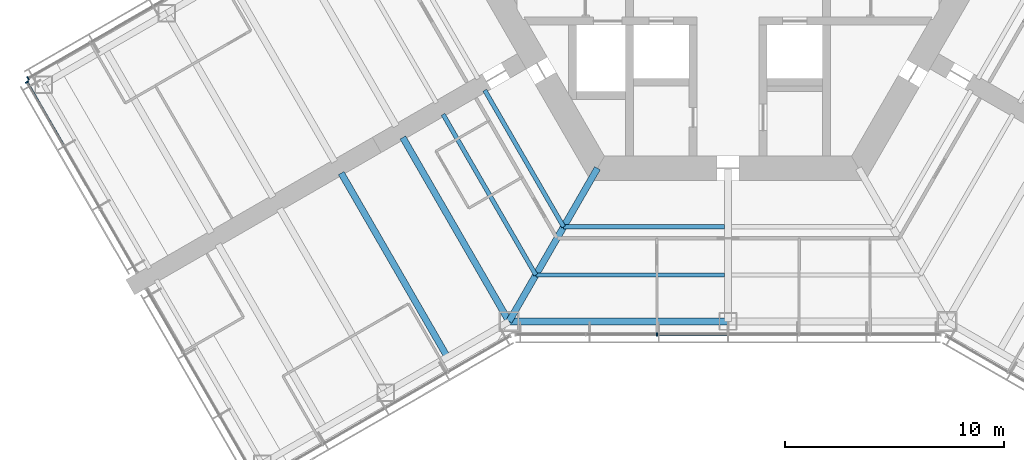
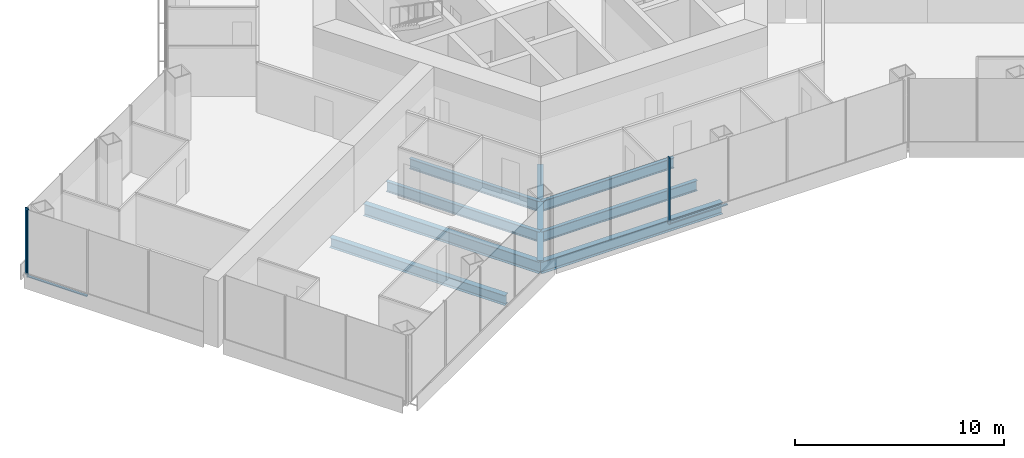
# One storey, part 3 of 18: 8 beams, 5 members, 3 elements without a shape of their own.
"""IFC4 building model written with IfcOpenShell, lengths in metres."""

from ifc_helpers import new_model, si_unit, direction, frame, origin, origin_2d, place, context, subcontext, project, spatial, rectangle, i_section, extrude, material, material_profile, profile_set, type_object, element, aggregate, save


model = new_model("IFC4")

# Units and contexts
model_context = context("Model", 3, precision=1e-05, world=origin(), true_north=direction((0.0, 1.0)))
body_context = subcontext(model_context, "Body", "Model", "MODEL_VIEW")
ifc_project = project(units=[si_unit("LENGTHUNIT", "METRE"), si_unit("AREAUNIT", "SQUARE_METRE"), si_unit("VOLUMEUNIT", "CUBIC_METRE"), si_unit("PLANEANGLEUNIT", "RADIAN"), si_unit("MASSUNIT", "GRAM", prefix="KILO")], contexts=[model_context])

# Site, building, storey
site_placement = place(None, origin())
site = spatial("IfcSite", under=ifc_project, at=site_placement, CompositionType="ELEMENT")
building_placement = place(site_placement, origin())
building = spatial("IfcBuilding", under=site, at=building_placement, Name="Kasaneha Research Tower", CompositionType="ELEMENT")
storey_placement = place(building_placement, frame((0.0, 0.0, 115.800048828125)))
storey = spatial("IfcBuildingStorey", under=building, at=storey_placement, Name="L29", CompositionType="ELEMENT", Elevation=115.800048828125)

# Beams
ifc_material_1 = material(Name="Steel SN490B", Category="steel")
ifc_material_profile_1 = material_profile(ifc_material_1, i_section(OverallWidth=0.199951171875, OverallDepth=0.60009765625, WebThickness=0.010986328125, FlangeThickness=0.01708984375, FilletRadius=0.012939453125, at=origin_2d()), Name="H-600x200x11x17")
ifc_profile_set_1 = profile_set([ifc_material_profile_1], Name="Steel SN490B")
beam_type_1 = type_object("IfcBeamType", Name="B1-3 secondary beam H-600x200x11x17", PredefinedType="JOIST", material=ifc_profile_set_1)
beam_1_placement = place(storey_placement, frame((-7.505615234375, -13.0, -0.449951171875), z_axis=(-0.499998147991, 0.86602647304, 0.0), x_axis=(-0.86602647304, -0.499998147991, 0.0)))
element("IfcBeam", 1, at=beam_1_placement, inside=storey, type_object=beam_type_1, Name="Secondary beam RS210R1 L29", PredefinedType="JOIST", context=body_context, shape_type="SweptSolid", body=[
    extrude(i_section(OverallWidth=0.199951171875, OverallDepth=0.60009765625, WebThickness=0.010986328125, FlangeThickness=0.01708984375, FilletRadius=0.012939453125, at=origin_2d()), origin(), (0.0, 0.0, 1.0), 7.20556640625),
])
beam_2_placement = place(storey_placement, frame((-8.775634765625, -15.199951171875, -0.449951171875), z_axis=(-0.500020829043, 0.866013377797, 0.0), x_axis=(-0.866013377797, -0.500020829043, 0.0)))
element("IfcBeam", 2, at=beam_2_placement, inside=storey, type_object=beam_type_1, Name="Secondary beam RS210R2 L29", PredefinedType="JOIST", context=body_context, shape_type="SweptSolid", body=[
    extrude(i_section(OverallWidth=0.199951171875, OverallDepth=0.60009765625, WebThickness=0.010986328125, FlangeThickness=0.01708984375, FilletRadius=0.012939453125, at=origin_2d()), origin(), (0.0, 0.0, 1.0), 8.475830078125),
])
beam_3_placement = place(storey_placement, frame((-7.505615234375, -13.0, -0.449951171875), z_axis=(1.0, 0.0, 0.0), x_axis=(0.0, 1.0, 0.0)))
element("IfcBeam", 3, at=beam_3_placement, inside=storey, type_object=beam_type_1, Name="Secondary beam RS270L1 L29", PredefinedType="JOIST", context=body_context, shape_type="SweptSolid", body=[
    extrude(i_section(OverallWidth=0.199951171875, OverallDepth=0.60009765625, WebThickness=0.010986328125, FlangeThickness=0.01708984375, FilletRadius=0.012939453125, at=origin_2d()), origin(), (0.0, 0.0, 1.0), 7.355712890625),
])
beam_4_placement = place(storey_placement, frame((-8.775634765625, -15.199951171875, -0.449951171875), z_axis=(1.0, 0.0, 0.0), x_axis=(0.0, 1.0, 0.0)))
element("IfcBeam", 4, at=beam_4_placement, inside=storey, type_object=beam_type_1, Name="Secondary beam RS270L2 L29", PredefinedType="JOIST", context=body_context, shape_type="SweptSolid", body=[
    extrude(i_section(OverallWidth=0.199951171875, OverallDepth=0.60009765625, WebThickness=0.010986328125, FlangeThickness=0.01708984375, FilletRadius=0.012939453125, at=origin_2d()), origin(), (0.0, 0.0, 1.0), 8.625732421875),
])
ifc_material_2 = material(Name="Steel SN490B", Category="steel")
ifc_material_profile_2 = material_profile(ifc_material_2, i_section(OverallWidth=0.300048828125, OverallDepth=0.58203125, WebThickness=0.011962890625, FlangeThickness=0.01708984375, FilletRadius=0.012939453125, at=origin_2d()), Name="H-582x300x12x17")
ifc_profile_set_2 = profile_set([ifc_material_profile_2], Name="Steel SN490B")
beam_type_2 = type_object("IfcBeamType", Name="B2-3 secondary beam H-582x300x12x17", PredefinedType="JOIST", material=ifc_profile_set_2)
beam_5_placement = place(storey_placement, frame((-12.814697265625, -18.945556640625, -0.441162109375), z_axis=(-0.499991164321, 0.866030505006, 0.0), x_axis=(-0.866030505006, -0.499991164321, 0.0)))
element("IfcBeam", 5, at=beam_5_placement, inside=storey, type_object=beam_type_2, Name="Secondary beam WBBN1 L29", PredefinedType="JOIST", context=body_context, shape_type="SweptSolid", body=[
    extrude(i_section(OverallWidth=0.300048828125, OverallDepth=0.58203125, WebThickness=0.011962890625, FlangeThickness=0.01708984375, FilletRadius=0.012939453125, at=origin_2d()), origin(), (0.0, 0.0, 1.0), 9.699951171875),
])

# Curtain wall, member
ifc_material_3 = material(Name="Glass and aluminium", Category="aluminium")
curtain_wall_type = type_object("IfcCurtainWallType", Name="Low-rise office curtain wall", PredefinedType="USERDEFINED", material=ifc_material_3)
curtain_wall_1_placement = place(storey_placement, origin())
curtain_wall_1 = element("IfcCurtainWall", 6, at=curtain_wall_1_placement, inside=storey, type_object=curtain_wall_type, Name="CW-O1 L29 run 02a", ObjectType="UNITISED CURTAIN WALL", PredefinedType="USERDEFINED")
ifc_material_4 = material(Name="Aluminium 6063-T6", Category="aluminium")
ifc_material_profile_3 = material_profile(ifc_material_4, rectangle(XDim=0.06005859375, YDim=0.159912109375, at=origin_2d()), Name="CW-O1 mullion 60x160")
ifc_profile_set_3 = profile_set([ifc_material_profile_3], Name="Aluminium 6063-T6")
member_type_1 = type_object("IfcMemberType", Name="CW-O1 mullion", PredefinedType="MULLION", material=ifc_profile_set_3)
member_1_placement = place(storey_placement, frame((-3.246337890625, -17.92041015625, 0.0), z_axis=(0.0, 0.0, 1.0), x_axis=(1.0, 0.0, 0.0)))
member_1 = element("IfcMember", 7, at=member_1_placement, type_object=member_type_1, Name="CW-O1 mullion 3", PredefinedType="MULLION", context=body_context, shape_type="SweptSolid", body=[
    extrude(rectangle(XDim=0.06005859375, YDim=0.159912109375, at=origin_2d()), origin(), (0.0, 0.0, 1.0), 3.89990234375),
])

curtain_wall_2_placement = place(storey_placement, origin())
curtain_wall_2 = element("IfcCurtainWall", 8, at=curtain_wall_2_placement, inside=storey, type_object=curtain_wall_type, Name="CW-O1 L29 run 13a", ObjectType="UNITISED CURTAIN WALL", PredefinedType="USERDEFINED")
member_2_placement = place(storey_placement, frame((-31.96533203125, -6.21533203125, 0.0), z_axis=(0.0, 0.0, 1.0), x_axis=(-0.866025411464, -0.499999986699, 0.0)))
member_2 = element("IfcMember", 9, at=member_2_placement, type_object=member_type_1, Name="CW-O1 mullion 5", PredefinedType="MULLION", context=body_context, shape_type="SweptSolid", body=[
    extrude(rectangle(XDim=0.06005859375, YDim=0.159912109375, at=origin_2d()), origin(), (0.0, 0.0, 1.0), 3.89990234375),
])
aggregate(curtain_wall_2, [member_2])

curtain_wall_3_placement = place(storey_placement, origin())
curtain_wall_3 = element("IfcCurtainWall", 10, at=curtain_wall_3_placement, inside=storey, type_object=curtain_wall_type, Name="CW-O1 L29 run 14a", ObjectType="UNITISED CURTAIN WALL", PredefinedType="USERDEFINED")
member_3_placement = place(storey_placement, frame((-32.012939453125, -6.39306640625, 0.0), z_axis=(0.0, 0.0, 1.0), x_axis=(0.500000011442, -0.866025397178, 0.0)))
member_3 = element("IfcMember", 11, at=member_3_placement, type_object=member_type_1, Name="CW-O1 mullion 1", PredefinedType="MULLION", context=body_context, shape_type="SweptSolid", body=[
    extrude(rectangle(XDim=0.06005859375, YDim=0.159912109375, at=origin_2d()), origin(), (0.0, 0.0, 1.0), 3.89990234375),
])

# Member
ifc_material_5 = material(Name="Aluminium 6063-T6", Category="aluminium")
ifc_material_profile_4 = material_profile(ifc_material_5, rectangle(XDim=0.1201171875, YDim=0.06005859375, at=origin_2d()), Name="CW-O1 transom 120x60")
ifc_profile_set_4 = profile_set([ifc_material_profile_4], Name="Aluminium 6063-T6")
member_type_2 = type_object("IfcMemberType", Name="CW-O1 transom", PredefinedType="USERDEFINED", material=ifc_profile_set_4)
member_4_placement = place(storey_placement, frame((-3.21630859375, -17.92041015625, 0.030029296875), z_axis=(1.0, 0.0, 0.0), x_axis=(0.0, 1.0, 0.0)))
member_4 = element("IfcMember", 12, at=member_4_placement, type_object=member_type_2, Name="CW-O1 transom 3", ObjectType="TRANSOM", PredefinedType="USERDEFINED", context=body_context, shape_type="SweptSolid", body=[
    extrude(rectangle(XDim=0.1201171875, YDim=0.06005859375, at=origin_2d()), origin(), (0.0, 0.0, 1.0), 3.186279296875),
])

aggregate(curtain_wall_1, [member_1, member_4])

member_5_placement = place(storey_placement, frame((-31.998046875, -6.4189453125, 0.030029296875), z_axis=(0.500025583411, -0.866010632691, 0.0), x_axis=(0.866010632691, 0.500025583411, 0.0)))
member_5 = element("IfcMember", 13, at=member_5_placement, type_object=member_type_2, Name="CW-O1 transom 1", ObjectType="TRANSOM", PredefinedType="USERDEFINED", context=body_context, shape_type="SweptSolid", body=[
    extrude(rectangle(XDim=0.1201171875, YDim=0.06005859375, at=origin_2d()), origin(), (0.0, 0.0, 1.0), 3.276611328125),
])

aggregate(curtain_wall_3, [member_3, member_5])

# Beams
ifc_material_6 = material(Name="Steel SN490B", Category="steel")
ifc_material_profile_5 = material_profile(ifc_material_6, i_section(OverallWidth=0.300048828125, OverallDepth=0.699951171875, WebThickness=0.012939453125, FlangeThickness=0.02392578125, FilletRadius=0.01806640625, at=origin_2d()), Name="H-700x300x13x24")
ifc_profile_set_5 = profile_set([ifc_material_profile_5], Name="Steel SN490B")
beam_type_3 = type_object("IfcBeamType", Name="G1-3 radial girder H-700x300x13x24", PredefinedType="BEAM", material=ifc_profile_set_5)
beam_6_placement = place(storey_placement, frame((-5.961181640625, -10.324951171875, -0.5), z_axis=(-0.49999105496, -0.866030568144, 0.0), x_axis=(0.866030568144, -0.49999105496, 0.0)))
element("IfcBeam", 14, at=beam_6_placement, inside=storey, type_object=beam_type_3, Name="Radial girder RV240 L29", PredefinedType="BEAM", context=body_context, shape_type="SweptSolid", body=[
    extrude(i_section(OverallWidth=0.300048828125, OverallDepth=0.699951171875, WebThickness=0.012939453125, FlangeThickness=0.02392578125, FilletRadius=0.01806640625, at=origin_2d()), origin(), (0.0, 0.0, 1.0), 8.077880859375),
])
ifc_material_7 = material(Name="Steel SN490B", Category="steel")
ifc_material_profile_6 = material_profile(ifc_material_7, i_section(OverallWidth=0.300048828125, OverallDepth=0.69189453125, WebThickness=0.012939453125, FlangeThickness=0.02001953125, FilletRadius=0.01806640625, at=origin_2d()), Name="H-692x300x13x20")
ifc_profile_set_6 = profile_set([ifc_material_profile_6], Name="Steel SN490B")
beam_type_4 = type_object("IfcBeamType", Name="G3-3 plate edge girder H-692x300x13x20", PredefinedType="BEAM", material=ifc_profile_set_6)
beam_7_placement = place(storey_placement, frame((-10.0, -17.320556640625, -0.49609375), z_axis=(-0.500010041276, 0.866019606374, 0.0), x_axis=(-0.866019606374, -0.500010041276, 0.0)))
element("IfcBeam", 15, at=beam_7_placement, inside=storey, type_object=beam_type_4, Name="Plate edge girder PEBN L29", PredefinedType="BEAM", context=body_context, shape_type="SweptSolid", body=[
    extrude(i_section(OverallWidth=0.300048828125, OverallDepth=0.69189453125, WebThickness=0.012939453125, FlangeThickness=0.02001953125, FilletRadius=0.01806640625, at=origin_2d()), origin(), (0.0, 0.0, 1.0), 9.699951171875),
])
ifc_material_8 = material(Name="Steel SN490B", Category="steel")
ifc_material_profile_7 = material_profile(ifc_material_8, i_section(OverallWidth=0.300048828125, OverallDepth=0.69189453125, WebThickness=0.012939453125, FlangeThickness=0.02001953125, FilletRadius=0.01806640625, at=origin_2d()), Name="H-692x300x13x20")
ifc_profile_set_7 = profile_set([ifc_material_profile_7], Name="Steel SN490B")
beam_type_5 = type_object("IfcBeamType", Name="SB1-3 spandrel beam H-692x300x13x20", PredefinedType="SPANDREL", material=ifc_profile_set_7)
beam_8_placement = place(storey_placement, frame((-10.0, -17.320556640625, -0.49609375), z_axis=(1.0, 0.0, 0.0), x_axis=(0.0, 1.0, 0.0)))
element("IfcBeam", 16, at=beam_8_placement, inside=storey, type_object=beam_type_5, Name="Spandrel beam SR270L L29", PredefinedType="SPANDREL", context=body_context, shape_type="SweptSolid", body=[
    extrude(i_section(OverallWidth=0.300048828125, OverallDepth=0.69189453125, WebThickness=0.012939453125, FlangeThickness=0.02001953125, FilletRadius=0.01806640625, at=origin_2d()), origin(), (0.0, 0.0, 1.0), 10.0),
])

save(model, "model.ifc")
